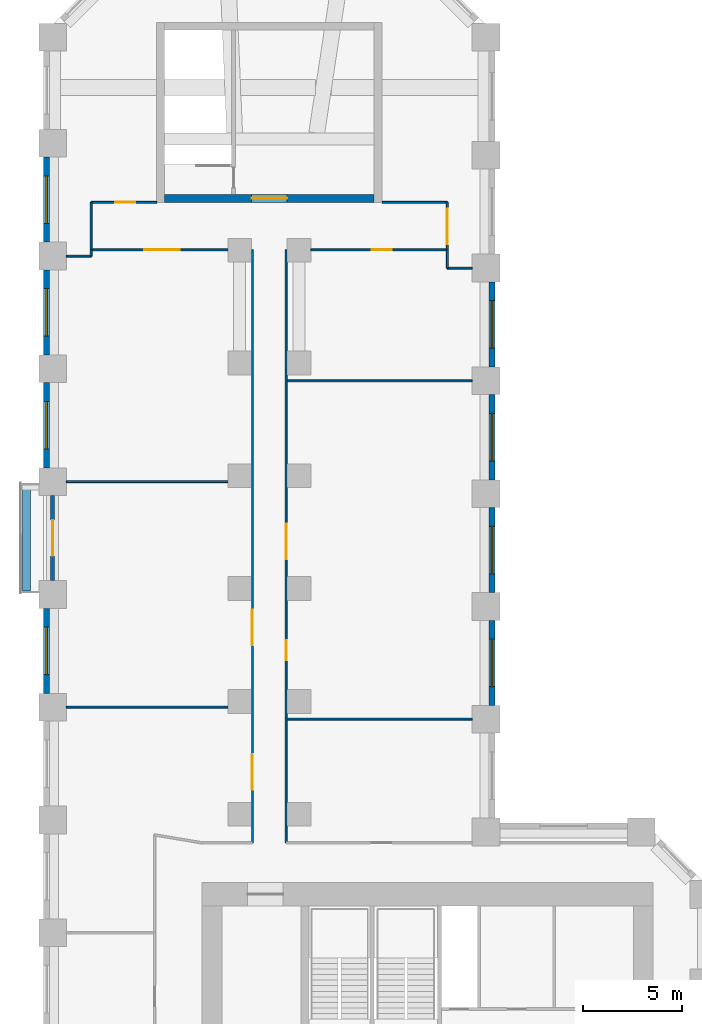
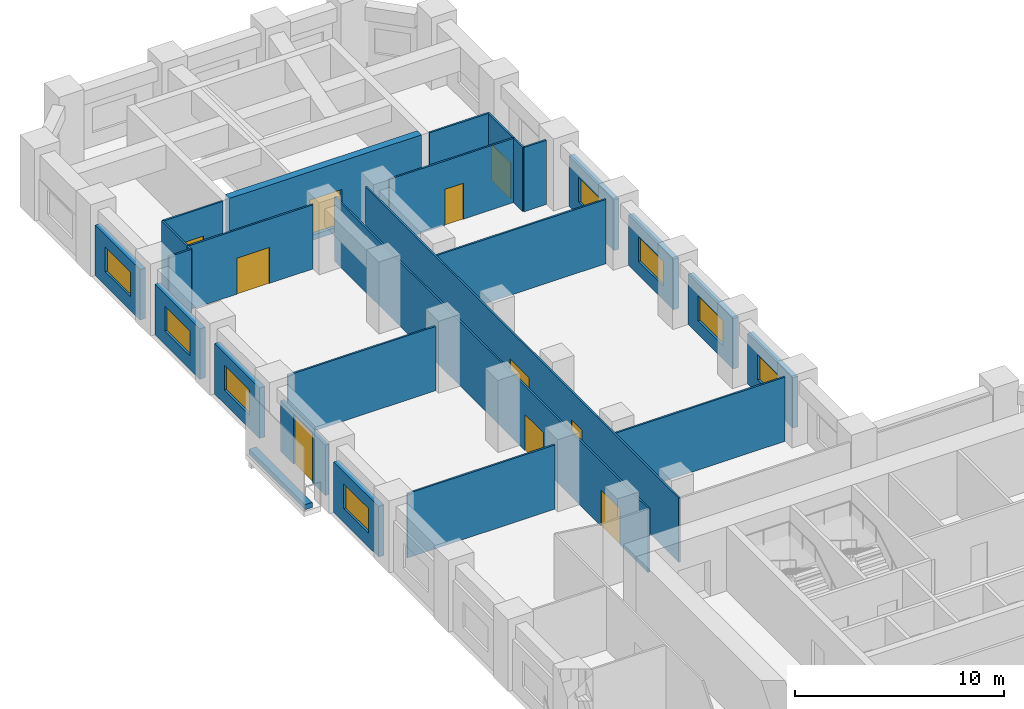
# One storey, part 9 of 12: 27 walls, 10 doors, 8 windows, 18 openings.
"""IFC4 building model written with IfcOpenShell, lengths in metres."""

from ifc_helpers import new_model, si_unit, direction, frame, frame_2d, origin, place, context, subcontext, project, spatial, rectangle, extrude, material, layer, layer_set, type_object, element, fill, save


model = new_model("IFC4")

# Units and contexts
model_context = context("Model", 3, precision=1e-05, world=origin(), true_north=direction((0.0, 1.0)))
body_context = subcontext(model_context, "Body", "Model", "MODEL_VIEW")
ifc_project = project(units=[si_unit("LENGTHUNIT", "METRE"), si_unit("AREAUNIT", "SQUARE_METRE"), si_unit("VOLUMEUNIT", "CUBIC_METRE"), si_unit("PLANEANGLEUNIT", "RADIAN"), si_unit("MASSUNIT", "GRAM", prefix="KILO")], contexts=[model_context])

# Site, building, storey
site_placement = place(None, origin())
site = spatial("IfcSite", under=ifc_project, at=site_placement, CompositionType="ELEMENT")
building_placement = place(site_placement, origin())
building = spatial("IfcBuilding", under=site, at=building_placement, Name="Meshkara Civic Tower", CompositionType="ELEMENT")
storey_placement = place(building_placement, frame((0.0, 0.0, 87.60009765625)))
storey = spatial("IfcBuildingStorey", under=building, at=storey_placement, Name="L19", CompositionType="ELEMENT", Elevation=87.60009765625)

# Wall, opening, door
ifc_material_1 = material(Name="Corridor wall 100")
ifc_layer_1 = layer(ifc_material_1, 0.10009765625)
ifc_layer_set_1 = layer_set([ifc_layer_1], Name="Corridor wall 100")
wall_type_1 = type_object("IfcWallType", Name="Corridor wall 100", PredefinedType="PARTITIONING", material=ifc_layer_set_1)
wall_1_placement = place(storey_placement, frame((2.39990234375, 68.8701171875, 0.0), z_axis=(0.0, 0.0, 1.0), x_axis=(1.0, 0.0, 0.0)))
wall_1 = element("IfcWall", 1, at=wall_1_placement, inside=storey, type_object=wall_type_1, Name="L19-W001", PredefinedType="PARTITIONING", context=body_context, shape_type="SweptSolid", body=[
    extrude(rectangle(XDim=6.900146484375, YDim=0.10009765625, at=frame_2d((3.4501953125, 0.0))), origin(), (0.0, 0.0, 1.0), 3.75),
])
opening_1_placement = place(wall_1_placement, frame((2.679931640625, 0.0, 0.0)))
opening_1 = element("IfcOpeningElement", 2, at=opening_1_placement, cuts=wall_1, Name="Opening L19-D026", PredefinedType="OPENING", context=body_context, shape_type="SweptSolid", body=[
    extrude(rectangle(XDim=1.800048828125, YDim=2.10009765625, at=frame_2d((0.89990234375, 1.050048828125))), frame((0.0, 0.06005859375, 0.0), z_axis=(0.0, -1.0, 0.0), x_axis=(1.0, 0.0, 0.0)), (0.0, 0.0, 1.0), 0.1201171875),
])
ifc_material_2 = material(Name="Door pair 1800 x 2100")
door_type_1 = type_object("IfcDoorType", Name="Door pair 1800 x 2100", OperationType="SINGLE_SWING_LEFT", PredefinedType="DOOR", material=ifc_material_2)
door_1_placement = place(opening_1_placement, origin())
door_1 = element("IfcDoor", 3, at=door_1_placement, inside=storey, type_object=door_type_1, Name="L19-D026", OperationType="DOUBLE_DOOR_SINGLE_SWING", OverallHeight=2.10009765625, OverallWidth=1.800048828125, PredefinedType="DOOR", context=body_context, shape_type="SweptSolid", body=[
    extrude(rectangle(XDim=1.800048828125, YDim=2.10009765625, at=frame_2d((0.89990234375, 1.050048828125))), frame((0.0, 0.02490234375, 0.0), z_axis=(0.0, -1.0, 0.0), x_axis=(1.0, 0.0, 0.0)), (0.0, 0.0, 1.0), 0.050048828125),
])
fill(opening_1, door_1)

# Wall
wall_2_placement = place(storey_placement, frame((2.39990234375, 71.27001953125, 0.0), z_axis=(0.0, 0.0, 1.0), x_axis=(0.0, -1.0, 0.0)))
element("IfcWall", 4, at=wall_2_placement, inside=storey, type_object=wall_type_1, Name="L19-W002", PredefinedType="PARTITIONING", context=body_context, shape_type="SweptSolid", body=[
    extrude(rectangle(XDim=2.39990234375, YDim=0.10009765625, at=frame_2d((1.199951171875, 0.0))), origin(), (0.0, 0.0, 1.0), 3.75),
])

# Wall, opening, door
wall_3_placement = place(storey_placement, frame((5.699951171875, 71.27001953125, 0.0), z_axis=(0.0, 0.0, 1.0), x_axis=(-1.0, 0.0, 0.0)))
wall_3 = element("IfcWall", 5, at=wall_3_placement, inside=storey, type_object=wall_type_1, Name="L19-W005", PredefinedType="PARTITIONING", context=body_context, shape_type="SweptSolid", body=[
    extrude(rectangle(XDim=3.300048828125, YDim=0.10009765625, at=frame_2d((1.64990234375, 0.0))), origin(), (0.0, 0.0, 1.0), 3.75),
])
opening_2_placement = place(wall_3_placement, frame((1.080078125, 0.0, 0.0)))
opening_2 = element("IfcOpeningElement", 6, at=opening_2_placement, cuts=wall_3, Name="Opening L19-D025", PredefinedType="OPENING", context=body_context, shape_type="SweptSolid", body=[
    extrude(rectangle(XDim=1.0, YDim=2.10009765625, at=frame_2d((0.5, 1.050048828125))), frame((0.0, 0.06005859375, 0.0), z_axis=(0.0, -1.0, 0.0), x_axis=(1.0, 0.0, 0.0)), (0.0, 0.0, 1.0), 0.1201171875),
])
ifc_material_3 = material(Name="Door 1000 x 2100")
door_type_2 = type_object("IfcDoorType", Name="Door 1000 x 2100", OperationType="SINGLE_SWING_LEFT", PredefinedType="DOOR", material=ifc_material_3)
door_2_placement = place(opening_2_placement, origin())
door_2 = element("IfcDoor", 7, at=door_2_placement, inside=storey, type_object=door_type_2, Name="L19-D025", OperationType="SINGLE_SWING_RIGHT", OverallHeight=2.10009765625, OverallWidth=1.0, PredefinedType="DOOR", context=body_context, shape_type="SweptSolid", body=[
    extrude(rectangle(XDim=1.0, YDim=2.10009765625, at=frame_2d((0.5, 1.050048828125))), frame((0.0, 0.02490234375, 0.0), z_axis=(0.0, -1.0, 0.0), x_axis=(1.0, 0.0, 0.0)), (0.0, 0.0, 1.0), 0.050048828125),
])
fill(opening_2, door_2)

# Wall, openings, doors
wall_4_placement = place(storey_placement, frame((10.550048828125, 68.8701171875, 0.0), z_axis=(0.0, 0.0, 1.0), x_axis=(0.0, -1.0, 0.0)))
wall_4 = element("IfcWall", 8, at=wall_4_placement, inside=storey, type_object=wall_type_1, Name="L19-W013", PredefinedType="PARTITIONING", context=body_context, shape_type="SweptSolid", body=[
    extrude(rectangle(XDim=29.97021484375, YDim=0.10009765625, at=frame_2d((14.985107421875, 0.0))), origin(), (0.0, 0.0, 1.0), 3.75),
])
opening_3_placement = place(wall_4_placement, frame((25.4951171875, 0.0, 0.0)))
opening_3 = element("IfcOpeningElement", 9, at=opening_3_placement, cuts=wall_4, Name="Opening L19-D021", PredefinedType="OPENING", context=body_context, shape_type="SweptSolid", body=[
    extrude(rectangle(XDim=1.800048828125, YDim=2.10009765625, at=frame_2d((0.89990234375, 1.050048828125))), frame((0.0, 0.06005859375, 0.0), z_axis=(0.0, -1.0, 0.0), x_axis=(1.0, 0.0, 0.0)), (0.0, 0.0, 1.0), 0.1201171875),
])
opening_4_placement = place(wall_4_placement, frame((18.195068359375, 0.0, 0.0)))
opening_4 = element("IfcOpeningElement", 10, at=opening_4_placement, cuts=wall_4, Name="Opening L19-D022", PredefinedType="OPENING", context=body_context, shape_type="SweptSolid", body=[
    extrude(rectangle(XDim=1.800048828125, YDim=2.10009765625, at=frame_2d((0.89990234375, 1.050048828125))), frame((0.0, 0.06005859375, 0.0), z_axis=(0.0, -1.0, 0.0), x_axis=(1.0, 0.0, 0.0)), (0.0, 0.0, 1.0), 0.1201171875),
])
door_3_placement = place(opening_3_placement, origin())
door_3 = element("IfcDoor", 11, at=door_3_placement, inside=storey, type_object=door_type_1, Name="L19-D021", OperationType="DOUBLE_DOOR_SINGLE_SWING", OverallHeight=2.10009765625, OverallWidth=1.800048828125, PredefinedType="DOOR", context=body_context, shape_type="SweptSolid", body=[
    extrude(rectangle(XDim=1.800048828125, YDim=2.10009765625, at=frame_2d((0.89990234375, 1.050048828125))), frame((0.0, 0.02490234375, 0.0), z_axis=(0.0, -1.0, 0.0), x_axis=(1.0, 0.0, 0.0)), (0.0, 0.0, 1.0), 0.050048828125),
])
fill(opening_3, door_3)
door_4_placement = place(opening_4_placement, origin())
door_4 = element("IfcDoor", 12, at=door_4_placement, inside=storey, type_object=door_type_1, Name="L19-D022", OperationType="DOUBLE_DOOR_SINGLE_SWING", OverallHeight=2.10009765625, OverallWidth=1.800048828125, PredefinedType="DOOR", context=body_context, shape_type="SweptSolid", body=[
    extrude(rectangle(XDim=1.800048828125, YDim=2.10009765625, at=frame_2d((0.89990234375, 1.050048828125))), frame((0.0, 0.02490234375, 0.0), z_axis=(0.0, -1.0, 0.0), x_axis=(1.0, 0.0, 0.0)), (0.0, 0.0, 1.0), 0.050048828125),
])
fill(opening_4, door_4)

wall_5_placement = place(storey_placement, frame((12.25, 38.89990234375, 0.0), z_axis=(0.0, 0.0, 1.0), x_axis=(0.0, 1.0, 0.0)))
wall_5 = element("IfcWall", 13, at=wall_5_placement, inside=storey, type_object=wall_type_1, Name="L19-W014", PredefinedType="PARTITIONING", context=body_context, shape_type="SweptSolid", body=[
    extrude(rectangle(XDim=29.97021484375, YDim=0.10009765625, at=frame_2d((14.985107421875, 0.0))), origin(), (0.0, 0.0, 1.0), 3.75),
])
opening_5_placement = place(wall_5_placement, frame((9.22998046875, 0.0, 0.0)))
opening_5 = element("IfcOpeningElement", 14, at=opening_5_placement, cuts=wall_5, Name="Opening L19-D023", PredefinedType="OPENING", context=body_context, shape_type="SweptSolid", body=[
    extrude(rectangle(XDim=1.0, YDim=2.10009765625, at=frame_2d((0.5, 1.050048828125))), frame((0.0, 0.06005859375, 0.0), z_axis=(0.0, -1.0, 0.0), x_axis=(1.0, 0.0, 0.0)), (0.0, 0.0, 1.0), 0.1201171875),
])
opening_6_placement = place(wall_5_placement, frame((14.330078125, 0.0, 0.0)))
opening_6 = element("IfcOpeningElement", 15, at=opening_6_placement, cuts=wall_5, Name="Opening L19-D024", PredefinedType="OPENING", context=body_context, shape_type="SweptSolid", body=[
    extrude(rectangle(XDim=1.800048828125, YDim=2.10009765625, at=frame_2d((0.89990234375, 1.050048828125))), frame((0.0, 0.06005859375, 0.0), z_axis=(0.0, -1.0, 0.0), x_axis=(1.0, 0.0, 0.0)), (0.0, 0.0, 1.0), 0.1201171875),
])
door_5_placement = place(opening_5_placement, origin())
door_5 = element("IfcDoor", 16, at=door_5_placement, inside=storey, type_object=door_type_2, Name="L19-D023", OperationType="SINGLE_SWING_RIGHT", OverallHeight=2.10009765625, OverallWidth=1.0, PredefinedType="DOOR", context=body_context, shape_type="SweptSolid", body=[
    extrude(rectangle(XDim=1.0, YDim=2.10009765625, at=frame_2d((0.5, 1.050048828125))), frame((0.0, 0.02490234375, 0.0), z_axis=(0.0, -1.0, 0.0), x_axis=(1.0, 0.0, 0.0)), (0.0, 0.0, 1.0), 0.050048828125),
])
fill(opening_5, door_5)
door_6_placement = place(opening_6_placement, origin())
door_6 = element("IfcDoor", 17, at=door_6_placement, inside=storey, type_object=door_type_1, Name="L19-D024", OperationType="DOUBLE_DOOR_SINGLE_SWING", OverallHeight=2.10009765625, OverallWidth=1.800048828125, PredefinedType="DOOR", context=body_context, shape_type="SweptSolid", body=[
    extrude(rectangle(XDim=1.800048828125, YDim=2.10009765625, at=frame_2d((0.89990234375, 1.050048828125))), frame((0.0, 0.02490234375, 0.0), z_axis=(0.0, -1.0, 0.0), x_axis=(1.0, 0.0, 0.0)), (0.0, 0.0, 1.0), 0.050048828125),
])
fill(opening_6, door_6)

# Wall, opening, door
wall_6_placement = place(storey_placement, frame((13.5, 68.8701171875, 0.0), z_axis=(0.0, 0.0, 1.0), x_axis=(1.0, 0.0, 0.0)))
wall_6 = element("IfcWall", 18, at=wall_6_placement, inside=storey, type_object=wall_type_1, Name="L19-W016", PredefinedType="PARTITIONING", context=body_context, shape_type="SweptSolid", body=[
    extrude(rectangle(XDim=6.89990234375, YDim=0.10009765625, at=frame_2d((3.449951171875, 0.0))), origin(), (0.0, 0.0, 1.0), 3.75),
])
opening_7_placement = place(wall_6_placement, frame((3.080078125, 0.0, 0.0)))
opening_7 = element("IfcOpeningElement", 19, at=opening_7_placement, cuts=wall_6, Name="Opening L19-D027", PredefinedType="OPENING", context=body_context, shape_type="SweptSolid", body=[
    extrude(rectangle(XDim=1.0, YDim=2.10009765625, at=frame_2d((0.5, 1.050048828125))), frame((0.0, 0.06005859375, 0.0), z_axis=(0.0, -1.0, 0.0), x_axis=(1.0, 0.0, 0.0)), (0.0, 0.0, 1.0), 0.1201171875),
])
door_7_placement = place(opening_7_placement, origin())
door_7 = element("IfcDoor", 20, at=door_7_placement, inside=storey, type_object=door_type_2, Name="L19-D027", OperationType="SINGLE_SWING_LEFT", OverallHeight=2.10009765625, OverallWidth=1.0, PredefinedType="DOOR", context=body_context, shape_type="SweptSolid", body=[
    extrude(rectangle(XDim=1.0, YDim=2.10009765625, at=frame_2d((0.5, 1.050048828125))), frame((0.0, 0.02490234375, 0.0), z_axis=(0.0, -1.0, 0.0), x_axis=(1.0, 0.0, 0.0)), (0.0, 0.0, 1.0), 0.050048828125),
])
fill(opening_7, door_7)

wall_7_placement = place(storey_placement, frame((20.39990234375, 68.8701171875, 0.0), z_axis=(0.0, 0.0, 1.0), x_axis=(0.0, 1.0, 0.0)))
wall_7 = element("IfcWall", 21, at=wall_7_placement, inside=storey, type_object=wall_type_1, Name="L19-W017", PredefinedType="PARTITIONING", context=body_context, shape_type="SweptSolid", body=[
    extrude(rectangle(XDim=2.39990234375, YDim=0.10009765625, at=frame_2d((1.199951171875, 0.0))), origin(), (0.0, 0.0, 1.0), 3.75),
])
opening_8_placement = place(wall_7_placement, frame((0.280029296875, 0.0, 0.0)))
opening_8 = element("IfcOpeningElement", 22, at=opening_8_placement, cuts=wall_7, Name="Opening L19-D028", PredefinedType="OPENING", context=body_context, shape_type="SweptSolid", body=[
    extrude(rectangle(XDim=1.800048828125, YDim=2.10009765625, at=frame_2d((0.89990234375, 1.050048828125))), frame((0.0, 0.06005859375, 0.0), z_axis=(0.0, -1.0, 0.0), x_axis=(1.0, 0.0, 0.0)), (0.0, 0.0, 1.0), 0.1201171875),
])
door_8_placement = place(opening_8_placement, origin())
door_8 = element("IfcDoor", 23, at=door_8_placement, inside=storey, type_object=door_type_1, Name="L19-D028", OperationType="DOUBLE_DOOR_SINGLE_SWING", OverallHeight=2.10009765625, OverallWidth=1.800048828125, PredefinedType="DOOR", context=body_context, shape_type="SweptSolid", body=[
    extrude(rectangle(XDim=1.800048828125, YDim=2.10009765625, at=frame_2d((0.89990234375, 1.050048828125))), frame((0.0, 0.02490234375, 0.0), z_axis=(0.0, -1.0, 0.0), x_axis=(1.0, 0.0, 0.0)), (0.0, 0.0, 1.0), 0.050048828125),
])
fill(opening_8, door_8)

# Wall
wall_8_placement = place(storey_placement, frame((20.39990234375, 71.27001953125, 0.0), z_axis=(0.0, 0.0, 1.0), x_axis=(-1.0, 0.0, 0.0)))
element("IfcWall", 24, at=wall_8_placement, inside=storey, type_object=wall_type_1, Name="L19-W018", PredefinedType="PARTITIONING", context=body_context, shape_type="SweptSolid", body=[
    extrude(rectangle(XDim=3.2998046875, YDim=0.10009765625, at=frame_2d((1.64990234375, 0.0))), origin(), (0.0, 0.0, 1.0), 3.75),
])

# Wall, opening, window
ifc_material_4 = material(Name="Insulated infill panel with bronze anodised aluminium cladding", Category="aluminium")
ifc_layer_2 = layer(ifc_material_4, 0.300048828125)
ifc_layer_set_2 = layer_set([ifc_layer_2], Name="EXTERNAL INFILL WALL 300")
wall_type_2 = type_object("IfcWallType", Name="EXTERNAL INFILL WALL 300", PredefinedType="SOLIDWALL", material=ifc_layer_set_2)
wall_9_placement = place(storey_placement, frame((22.64990234375, 45.85009765625, 0.0), z_axis=(0.0, 0.0, 1.0), x_axis=(0.0, 1.0, 0.0)))
wall_9 = element("IfcWall", 25, at=wall_9_placement, inside=storey, type_object=wall_type_2, Name="External wall", PredefinedType="SOLIDWALL", context=body_context, shape_type="SweptSolid", body=[
    extrude(rectangle(XDim=4.2998046875, YDim=0.300048828125, at=frame_2d((2.14990234375, 0.0))), origin(), (0.0, 0.0, 1.0), 2.949951171875),
])
opening_9_placement = place(wall_9_placement, frame((0.949951171875, 0.0, 0.800048828125)))
opening_9 = element("IfcOpeningElement", 26, at=opening_9_placement, cuts=wall_9, Name="Opening W8", PredefinedType="OPENING", context=body_context, shape_type="SweptSolid", body=[
    extrude(rectangle(XDim=2.39990234375, YDim=1.449951171875, at=frame_2d((1.199951171875, 0.72509765625))), frame((0.0, 0.159912109375, 0.0), z_axis=(0.0, -1.0, 0.0), x_axis=(1.0, 0.0, 0.0)), (0.0, 0.0, 1.0), 0.320068359375),
])
ifc_material_5 = material(Name="Tinted double glazing", Category="glass")
window_type = type_object("IfcWindowType", Name="WINDOW 2400x1450", PartitioningType="DOUBLE_PANEL_VERTICAL", PredefinedType="WINDOW", material=ifc_material_5)
window_1_placement = place(opening_9_placement, origin())
window_1 = element("IfcWindow", 27, at=window_1_placement, inside=storey, type_object=window_type, Name="Window", OverallHeight=1.449951171875, OverallWidth=2.39990234375, PartitioningType="DOUBLE_PANEL_VERTICAL", PredefinedType="WINDOW", context=body_context, shape_type="SweptSolid", body=[
    extrude(rectangle(XDim=2.39990234375, YDim=1.449951171875, at=frame_2d((1.199951171875, 0.72509765625))), frame((0.0, 0.030029296875, 0.0), z_axis=(0.0, -1.0, 0.0), x_axis=(1.0, 0.0, 0.0)), (0.0, 0.0, 1.0), 0.06005859375),
])
fill(opening_9, window_1)

wall_10_placement = place(storey_placement, frame((22.64990234375, 51.550048828125, 0.0), z_axis=(0.0, 0.0, 1.0), x_axis=(0.0, 1.0, 0.0)))
wall_10 = element("IfcWall", 28, at=wall_10_placement, inside=storey, type_object=wall_type_2, Name="External wall", PredefinedType="SOLIDWALL", context=body_context, shape_type="SweptSolid", body=[
    extrude(rectangle(XDim=4.300048828125, YDim=0.300048828125, at=frame_2d((2.14990234375, 0.0))), origin(), (0.0, 0.0, 1.0), 2.949951171875),
])
opening_10_placement = place(wall_10_placement, frame((0.949951171875, 0.0, 0.800048828125)))
opening_10 = element("IfcOpeningElement", 29, at=opening_10_placement, cuts=wall_10, Name="Opening W8", PredefinedType="OPENING", context=body_context, shape_type="SweptSolid", body=[
    extrude(rectangle(XDim=2.39990234375, YDim=1.449951171875, at=frame_2d((1.199951171875, 0.72509765625))), frame((0.0, 0.159912109375, 0.0), z_axis=(0.0, -1.0, 0.0), x_axis=(1.0, 0.0, 0.0)), (0.0, 0.0, 1.0), 0.320068359375),
])
window_2_placement = place(opening_10_placement, origin())
window_2 = element("IfcWindow", 30, at=window_2_placement, inside=storey, type_object=window_type, Name="Window", OverallHeight=1.449951171875, OverallWidth=2.39990234375, PartitioningType="DOUBLE_PANEL_VERTICAL", PredefinedType="WINDOW", context=body_context, shape_type="SweptSolid", body=[
    extrude(rectangle(XDim=2.39990234375, YDim=1.449951171875, at=frame_2d((1.199951171875, 0.72509765625))), frame((0.0, 0.030029296875, 0.0), z_axis=(0.0, -1.0, 0.0), x_axis=(1.0, 0.0, 0.0)), (0.0, 0.0, 1.0), 0.06005859375),
])
fill(opening_10, window_2)

wall_11_placement = place(storey_placement, frame((22.64990234375, 57.25, 0.0), z_axis=(0.0, 0.0, 1.0), x_axis=(0.0, 1.0, 0.0)))
wall_11 = element("IfcWall", 31, at=wall_11_placement, inside=storey, type_object=wall_type_2, Name="External wall", PredefinedType="SOLIDWALL", context=body_context, shape_type="SweptSolid", body=[
    extrude(rectangle(XDim=4.300048828125, YDim=0.300048828125, at=frame_2d((2.14990234375, 0.0))), origin(), (0.0, 0.0, 1.0), 2.949951171875),
])
opening_11_placement = place(wall_11_placement, frame((0.949951171875, 0.0, 0.800048828125)))
opening_11 = element("IfcOpeningElement", 32, at=opening_11_placement, cuts=wall_11, Name="Opening W8", PredefinedType="OPENING", context=body_context, shape_type="SweptSolid", body=[
    extrude(rectangle(XDim=2.39990234375, YDim=1.449951171875, at=frame_2d((1.199951171875, 0.72509765625))), frame((0.0, 0.159912109375, 0.0), z_axis=(0.0, -1.0, 0.0), x_axis=(1.0, 0.0, 0.0)), (0.0, 0.0, 1.0), 0.320068359375),
])
window_3_placement = place(opening_11_placement, origin())
window_3 = element("IfcWindow", 33, at=window_3_placement, inside=storey, type_object=window_type, Name="Window", OverallHeight=1.449951171875, OverallWidth=2.39990234375, PartitioningType="DOUBLE_PANEL_VERTICAL", PredefinedType="WINDOW", context=body_context, shape_type="SweptSolid", body=[
    extrude(rectangle(XDim=2.39990234375, YDim=1.449951171875, at=frame_2d((1.199951171875, 0.72509765625))), frame((0.0, 0.030029296875, 0.0), z_axis=(0.0, -1.0, 0.0), x_axis=(1.0, 0.0, 0.0)), (0.0, 0.0, 1.0), 0.06005859375),
])
fill(opening_11, window_3)

wall_12_placement = place(storey_placement, frame((22.64990234375, 62.949951171875, 0.0), z_axis=(0.0, 0.0, 1.0), x_axis=(0.0, 1.0, 0.0)))
wall_12 = element("IfcWall", 34, at=wall_12_placement, inside=storey, type_object=wall_type_2, Name="External wall", PredefinedType="SOLIDWALL", context=body_context, shape_type="SweptSolid", body=[
    extrude(rectangle(XDim=4.300048828125, YDim=0.300048828125, at=frame_2d((2.14990234375, 0.0))), origin(), (0.0, 0.0, 1.0), 2.949951171875),
])
opening_12_placement = place(wall_12_placement, frame((0.949951171875, 0.0, 0.800048828125)))
opening_12 = element("IfcOpeningElement", 35, at=opening_12_placement, cuts=wall_12, Name="Opening W8", PredefinedType="OPENING", context=body_context, shape_type="SweptSolid", body=[
    extrude(rectangle(XDim=2.39990234375, YDim=1.449951171875, at=frame_2d((1.199951171875, 0.72509765625))), frame((0.0, 0.159912109375, 0.0), z_axis=(0.0, -1.0, 0.0), x_axis=(1.0, 0.0, 0.0)), (0.0, 0.0, 1.0), 0.320068359375),
])
window_4_placement = place(opening_12_placement, origin())
window_4 = element("IfcWindow", 36, at=window_4_placement, inside=storey, type_object=window_type, Name="Window", OverallHeight=1.449951171875, OverallWidth=2.39990234375, PartitioningType="DOUBLE_PANEL_VERTICAL", PredefinedType="WINDOW", context=body_context, shape_type="SweptSolid", body=[
    extrude(rectangle(XDim=2.39990234375, YDim=1.449951171875, at=frame_2d((1.199951171875, 0.72509765625))), frame((0.0, 0.030029296875, 0.0), z_axis=(0.0, -1.0, 0.0), x_axis=(1.0, 0.0, 0.0)), (0.0, 0.0, 1.0), 0.06005859375),
])
fill(opening_12, window_4)

wall_13_placement = place(storey_placement, frame((0.14990234375, 73.554931640625, 0.0), z_axis=(0.0, 0.0, 1.0), x_axis=(0.0, -1.0, 0.0)))
wall_13 = element("IfcWall", 37, at=wall_13_placement, inside=storey, type_object=wall_type_2, Name="External wall", PredefinedType="SOLIDWALL", context=body_context, shape_type="SweptSolid", body=[
    extrude(rectangle(XDim=4.300048828125, YDim=0.300048828125, at=frame_2d((2.14990234375, 0.0))), origin(), (0.0, 0.0, 1.0), 2.949951171875),
])
opening_13_placement = place(wall_13_placement, frame((0.949951171875, 0.0, 0.800048828125)))
opening_13 = element("IfcOpeningElement", 38, at=opening_13_placement, cuts=wall_13, Name="Opening W8", PredefinedType="OPENING", context=body_context, shape_type="SweptSolid", body=[
    extrude(rectangle(XDim=2.39990234375, YDim=1.449951171875, at=frame_2d((1.199951171875, 0.72509765625))), frame((0.0, 0.159912109375, 0.0), z_axis=(0.0, -1.0, 0.0), x_axis=(1.0, 0.0, 0.0)), (0.0, 0.0, 1.0), 0.320068359375),
])
window_5_placement = place(opening_13_placement, origin())
window_5 = element("IfcWindow", 39, at=window_5_placement, inside=storey, type_object=window_type, Name="Window", OverallHeight=1.449951171875, OverallWidth=2.39990234375, PartitioningType="DOUBLE_PANEL_VERTICAL", PredefinedType="WINDOW", context=body_context, shape_type="SweptSolid", body=[
    extrude(rectangle(XDim=2.39990234375, YDim=1.449951171875, at=frame_2d((1.199951171875, 0.72509765625))), frame((0.0, 0.030029296875, 0.0), z_axis=(0.0, -1.0, 0.0), x_axis=(1.0, 0.0, 0.0)), (0.0, 0.0, 1.0), 0.06005859375),
])
fill(opening_13, window_5)

wall_14_placement = place(storey_placement, frame((0.14990234375, 67.85498046875, 0.0), z_axis=(0.0, 0.0, 1.0), x_axis=(0.0, -1.0, 0.0)))
wall_14 = element("IfcWall", 40, at=wall_14_placement, inside=storey, type_object=wall_type_2, Name="External wall", PredefinedType="SOLIDWALL", context=body_context, shape_type="SweptSolid", body=[
    extrude(rectangle(XDim=4.300048828125, YDim=0.300048828125, at=frame_2d((2.14990234375, 0.0))), origin(), (0.0, 0.0, 1.0), 2.949951171875),
])
opening_14_placement = place(wall_14_placement, frame((0.949951171875, 0.0, 0.800048828125)))
opening_14 = element("IfcOpeningElement", 41, at=opening_14_placement, cuts=wall_14, Name="Opening W8", PredefinedType="OPENING", context=body_context, shape_type="SweptSolid", body=[
    extrude(rectangle(XDim=2.39990234375, YDim=1.449951171875, at=frame_2d((1.199951171875, 0.72509765625))), frame((0.0, 0.159912109375, 0.0), z_axis=(0.0, -1.0, 0.0), x_axis=(1.0, 0.0, 0.0)), (0.0, 0.0, 1.0), 0.320068359375),
])
window_6_placement = place(opening_14_placement, origin())
window_6 = element("IfcWindow", 42, at=window_6_placement, inside=storey, type_object=window_type, Name="Window", OverallHeight=1.449951171875, OverallWidth=2.39990234375, PartitioningType="DOUBLE_PANEL_VERTICAL", PredefinedType="WINDOW", context=body_context, shape_type="SweptSolid", body=[
    extrude(rectangle(XDim=2.39990234375, YDim=1.449951171875, at=frame_2d((1.199951171875, 0.72509765625))), frame((0.0, 0.030029296875, 0.0), z_axis=(0.0, -1.0, 0.0), x_axis=(1.0, 0.0, 0.0)), (0.0, 0.0, 1.0), 0.06005859375),
])
fill(opening_14, window_6)

wall_15_placement = place(storey_placement, frame((0.14990234375, 62.155029296875, 0.0), z_axis=(0.0, 0.0, 1.0), x_axis=(0.0, -1.0, 0.0)))
wall_15 = element("IfcWall", 43, at=wall_15_placement, inside=storey, type_object=wall_type_2, Name="External wall", PredefinedType="SOLIDWALL", context=body_context, shape_type="SweptSolid", body=[
    extrude(rectangle(XDim=4.300048828125, YDim=0.300048828125, at=frame_2d((2.14990234375, 0.0))), origin(), (0.0, 0.0, 1.0), 2.949951171875),
])
opening_15_placement = place(wall_15_placement, frame((0.949951171875, 0.0, 0.800048828125)))
opening_15 = element("IfcOpeningElement", 44, at=opening_15_placement, cuts=wall_15, Name="Opening W8", PredefinedType="OPENING", context=body_context, shape_type="SweptSolid", body=[
    extrude(rectangle(XDim=2.39990234375, YDim=1.449951171875, at=frame_2d((1.199951171875, 0.72509765625))), frame((0.0, 0.159912109375, 0.0), z_axis=(0.0, -1.0, 0.0), x_axis=(1.0, 0.0, 0.0)), (0.0, 0.0, 1.0), 0.320068359375),
])
window_7_placement = place(opening_15_placement, origin())
window_7 = element("IfcWindow", 45, at=window_7_placement, inside=storey, type_object=window_type, Name="Window", OverallHeight=1.449951171875, OverallWidth=2.39990234375, PartitioningType="DOUBLE_PANEL_VERTICAL", PredefinedType="WINDOW", context=body_context, shape_type="SweptSolid", body=[
    extrude(rectangle(XDim=2.39990234375, YDim=1.449951171875, at=frame_2d((1.199951171875, 0.72509765625))), frame((0.0, 0.030029296875, 0.0), z_axis=(0.0, -1.0, 0.0), x_axis=(1.0, 0.0, 0.0)), (0.0, 0.0, 1.0), 0.06005859375),
])
fill(opening_15, window_7)

wall_16_placement = place(storey_placement, frame((0.14990234375, 50.7548828125, 0.0), z_axis=(0.0, 0.0, 1.0), x_axis=(0.0, -1.0, 0.0)))
wall_16 = element("IfcWall", 46, at=wall_16_placement, inside=storey, type_object=wall_type_2, Name="External wall", PredefinedType="SOLIDWALL", context=body_context, shape_type="SweptSolid", body=[
    extrude(rectangle(XDim=4.2998046875, YDim=0.300048828125, at=frame_2d((2.14990234375, 0.0))), origin(), (0.0, 0.0, 1.0), 2.949951171875),
])
opening_16_placement = place(wall_16_placement, frame((0.949951171875, 0.0, 0.800048828125)))
opening_16 = element("IfcOpeningElement", 47, at=opening_16_placement, cuts=wall_16, Name="Opening W8", PredefinedType="OPENING", context=body_context, shape_type="SweptSolid", body=[
    extrude(rectangle(XDim=2.39990234375, YDim=1.449951171875, at=frame_2d((1.199951171875, 0.72509765625))), frame((0.0, 0.159912109375, 0.0), z_axis=(0.0, -1.0, 0.0), x_axis=(1.0, 0.0, 0.0)), (0.0, 0.0, 1.0), 0.320068359375),
])
window_8_placement = place(opening_16_placement, origin())
window_8 = element("IfcWindow", 48, at=window_8_placement, inside=storey, type_object=window_type, Name="Window", OverallHeight=1.449951171875, OverallWidth=2.39990234375, PartitioningType="DOUBLE_PANEL_VERTICAL", PredefinedType="WINDOW", context=body_context, shape_type="SweptSolid", body=[
    extrude(rectangle(XDim=2.39990234375, YDim=1.449951171875, at=frame_2d((1.199951171875, 0.72509765625))), frame((0.0, 0.030029296875, 0.0), z_axis=(0.0, -1.0, 0.0), x_axis=(1.0, 0.0, 0.0)), (0.0, 0.0, 1.0), 0.06005859375),
])
fill(opening_16, window_8)

# Wall, opening, door
ifc_material_6 = material(Name="Concrete C80", Category="concrete")
ifc_layer_3 = layer(ifc_material_6, 0.39990234375)
ifc_layer_set_3 = layer_set([ifc_layer_3], Name="End core ring wall 400 C80")
wall_type_3 = type_object("IfcWallType", Name="End core ring wall 400 C80", PredefinedType="SHEAR", material=ifc_layer_set_3)
wall_17_placement = place(storey_placement, frame((6.10009765625, 71.469970703125, -0.300048828125), z_axis=(0.0, 0.0, 1.0), x_axis=(1.0, 0.0, 0.0)))
wall_17 = element("IfcWall", 49, at=wall_17_placement, inside=storey, type_object=wall_type_3, Name="L19-C028", PredefinedType="SHEAR", context=body_context, shape_type="SweptSolid", body=[
    extrude(rectangle(XDim=10.599853515625, YDim=0.39990234375, at=frame_2d((5.2998046875, 0.0))), origin(), (0.0, 0.0, 1.0), 4.050048828125),
])
opening_17_placement = place(wall_17_placement, frame((4.39990234375, 0.0, 0.300048828125)))
opening_17 = element("IfcOpeningElement", 50, at=opening_17_placement, cuts=wall_17, Name="Opening L19-K102", PredefinedType="OPENING", context=body_context, shape_type="SweptSolid", body=[
    extrude(rectangle(XDim=1.800048828125, YDim=2.10009765625, at=frame_2d((0.89990234375, 1.050048828125))), frame((0.0, 0.2099609375, 0.0), z_axis=(0.0, -1.0, 0.0), x_axis=(1.0, 0.0, 0.0)), (0.0, 0.0, 1.0), 0.419921875),
])
ifc_material_7 = material(Name="Fire-rated door leaf in steel frame", Category="steel")
door_type_3 = type_object("IfcDoorType", Name="Core double door 1800 EI 60", OperationType="DOUBLE_DOOR_SINGLE_SWING", PredefinedType="DOOR", material=ifc_material_7)
door_9_placement = place(opening_17_placement, origin())
door_9 = element("IfcDoor", 51, at=door_9_placement, inside=storey, type_object=door_type_3, Name="L19-K102", OperationType="DOUBLE_DOOR_SINGLE_SWING", OverallHeight=2.10009765625, OverallWidth=1.800048828125, PredefinedType="DOOR", context=body_context, shape_type="SweptSolid", body=[
    extrude(rectangle(XDim=1.800048828125, YDim=2.10009765625, at=frame_2d((0.89990234375, 1.050048828125))), frame((0.0, 0.02490234375, 0.0), z_axis=(0.0, -1.0, 0.0), x_axis=(1.0, 0.0, 0.0)), (0.0, 0.0, 1.0), 0.050048828125),
])
fill(opening_17, door_9)

ifc_material_8 = material(Name="Insulated infill panel with bronze anodised aluminium cladding", Category="aluminium")
ifc_layer_4 = layer(ifc_material_8, 0.199951171875)
ifc_layer_set_4 = layer_set([ifc_layer_4], Name="LOGGIA BACK WALL 200")
wall_type_4 = type_object("IfcWallType", Name="LOGGIA BACK WALL 200", PredefinedType="SOLIDWALL", material=ifc_layer_set_4)
wall_18_placement = place(storey_placement, frame((0.449951171875, 56.455078125, 0.0), z_axis=(0.0, 0.0, 1.0), x_axis=(0.0, -1.0, 0.0)))
wall_18 = element("IfcWall", 52, at=wall_18_placement, inside=storey, type_object=wall_type_4, Name="Loggia wall", PredefinedType="SOLIDWALL", context=body_context, shape_type="SweptSolid", body=[
    extrude(rectangle(XDim=4.300048828125, YDim=0.199951171875, at=frame_2d((2.14990234375, 0.0))), origin(), (0.0, 0.0, 1.0), 2.949951171875),
])
opening_18_placement = place(wall_18_placement, frame((1.25, 0.0, 0.0)))
opening_18 = element("IfcOpeningElement", 53, at=opening_18_placement, cuts=wall_18, Name="Opening L19-L001", PredefinedType="OPENING", context=body_context, shape_type="SweptSolid", body=[
    extrude(rectangle(XDim=1.800048828125, YDim=2.89990234375, at=frame_2d((0.89990234375, 1.449951171875))), frame((0.0, 0.10986328125, 0.0), z_axis=(0.0, -1.0, 0.0), x_axis=(1.0, 0.0, 0.0)), (0.0, 0.0, 1.0), 0.219970703125),
])
ifc_material_9 = material(Name="Tinted double glazing", Category="glass")
door_type_4 = type_object("IfcDoorType", Name="LOGGIA DOOR 1800x2900", OperationType="DOUBLE_DOOR_SINGLE_SWING", PredefinedType="DOOR", material=ifc_material_9)
door_10_placement = place(opening_18_placement, origin())
door_10 = element("IfcDoor", 54, at=door_10_placement, inside=storey, type_object=door_type_4, Name="L19-L001", OperationType="DOUBLE_DOOR_SINGLE_SWING", OverallHeight=2.89990234375, OverallWidth=1.800048828125, PredefinedType="DOOR", context=body_context, shape_type="SweptSolid", body=[
    extrude(rectangle(XDim=1.800048828125, YDim=2.89990234375, at=frame_2d((0.89990234375, 1.449951171875))), frame((0.0, 0.02490234375, 0.0), z_axis=(0.0, -1.0, 0.0), x_axis=(1.0, 0.0, 0.0)), (0.0, 0.0, 1.0), 0.050048828125),
])
fill(opening_18, door_10)

# Walls
ifc_material_10 = material(Name="Concrete C40", Category="concrete")
ifc_layer_5 = layer(ifc_material_10, 0.39990234375)
ifc_layer_set_5 = layer_set([ifc_layer_5], Name="PLANTER TRAY")
wall_type_5 = type_object("IfcWallType", Name="PLANTER TRAY", PredefinedType="SOLIDWALL", material=ifc_layer_set_5)
wall_19_placement = place(storey_placement, frame((-0.8798828125, 56.985107421875, 0.0), z_axis=(0.0, 0.0, 1.0), x_axis=(0.0, -1.0, 0.0)))
element("IfcWall", 55, at=wall_19_placement, inside=storey, type_object=wall_type_5, Name="Planter", PredefinedType="SOLIDWALL", context=body_context, shape_type="SweptSolid", body=[
    extrude(rectangle(XDim=5.360107421875, YDim=0.39990234375, at=frame_2d((2.68017578125, 0.0))), origin(), (0.0, 0.0, 1.0), 0.2998046875),
])
ifc_material_11 = material(Name="Partition 100")
ifc_layer_6 = layer(ifc_material_11, 0.10009765625)
ifc_layer_set_6 = layer_set([ifc_layer_6], Name="Partition 100")
wall_type_6 = type_object("IfcWallType", Name="Partition 100", PredefinedType="PARTITIONING", material=ifc_layer_set_6)
wall_20_placement = place(storey_placement, frame((2.39990234375, 68.554931640625, 0.0), z_axis=(0.0, 0.0, 1.0), x_axis=(-1.0, 0.0, 0.0)))
element("IfcWall", 56, at=wall_20_placement, inside=storey, type_object=wall_type_6, Name="L19-W030", PredefinedType="PARTITIONING", context=body_context, shape_type="SweptSolid", body=[
    extrude(rectangle(XDim=1.25, YDim=0.10009765625, at=frame_2d((0.625, 0.0))), origin(), (0.0, 0.0, 1.0), 3.75),
])
wall_21_placement = place(storey_placement, frame((2.39990234375, 68.8740234375, 0.0), z_axis=(0.0, 0.0, 1.0), x_axis=(0.0, -1.0, 0.0)))
element("IfcWall", 57, at=wall_21_placement, inside=storey, type_object=wall_type_6, Name="L19-W031", PredefinedType="PARTITIONING", context=body_context, shape_type="SweptSolid", body=[
    extrude(rectangle(XDim=0.319091796875, YDim=0.10009765625, at=frame_2d((0.15966796875, 0.0))), origin(), (0.0, 0.0, 1.0), 3.75),
])
for number, where, z_axis, x_axis, name in (
    (58, (9.300048828125, 45.7548828125, 0.0), (0.0, 0.0, 1.0), (-1.0, 0.0, 0.0), "L19-W036"),
    (59, (9.300048828125, 57.155029296875, 0.0), (0.0, 0.0, 1.0), (-1.0, 0.0, 0.0), "L19-W037"),
):
    element("IfcWall", number, at=place(storey_placement, frame(where, z_axis=z_axis, x_axis=x_axis)), inside=storey, type_object=wall_type_6, Name=name, PredefinedType="PARTITIONING", context=body_context, shape_type="SweptSolid", body=[
        extrude(rectangle(XDim=8.150146484375, YDim=0.10009765625, at=frame_2d((4.0751953125, 0.0))), origin(), (0.0, 0.0, 1.0), 3.75),
    ])
wall_22_placement = place(storey_placement, frame((20.39990234375, 67.949951171875, 0.0), z_axis=(0.0, 0.0, 1.0), x_axis=(0.0, 1.0, 0.0)))
element("IfcWall", 60, at=wall_22_placement, inside=storey, type_object=wall_type_6, Name="L19-W040", PredefinedType="PARTITIONING", context=body_context, shape_type="SweptSolid", body=[
    extrude(rectangle(XDim=0.924072265625, YDim=0.10009765625, at=frame_2d((0.4619140625, 0.0))), origin(), (0.0, 0.0, 1.0), 3.75),
])
for number, where, z_axis, x_axis, name in (
    (61, (21.64990234375, 45.14990234375, 0.0), (0.0, 0.0, 1.0), (-1.0, 0.0, 0.0), "L19-W043"),
    (62, (21.64990234375, 62.25, 0.0), (0.0, 0.0, 1.0), (-1.0, 0.0, 0.0), "L19-W044"),
):
    element("IfcWall", number, at=place(storey_placement, frame(where, z_axis=z_axis, x_axis=x_axis)), inside=storey, type_object=wall_type_6, Name=name, PredefinedType="PARTITIONING", context=body_context, shape_type="SweptSolid", body=[
        extrude(rectangle(XDim=9.349853515625, YDim=0.10009765625, at=frame_2d((4.6748046875, 0.0))), origin(), (0.0, 0.0, 1.0), 3.75),
    ])
wall_23_placement = place(storey_placement, frame((21.64990234375, 67.949951171875, 0.0), z_axis=(0.0, 0.0, 1.0), x_axis=(-1.0, 0.0, 0.0)))
element("IfcWall", 63, at=wall_23_placement, inside=storey, type_object=wall_type_6, Name="L19-W045", PredefinedType="PARTITIONING", context=body_context, shape_type="SweptSolid", body=[
    extrude(rectangle(XDim=1.25, YDim=0.10009765625, at=frame_2d((0.625, 0.0))), origin(), (0.0, 0.0, 1.0), 3.75),
])

save(model, "model.ifc")
